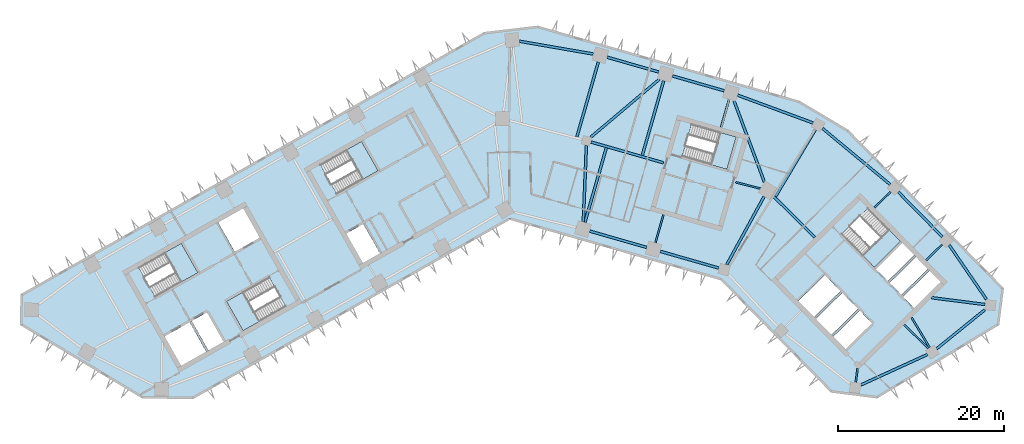
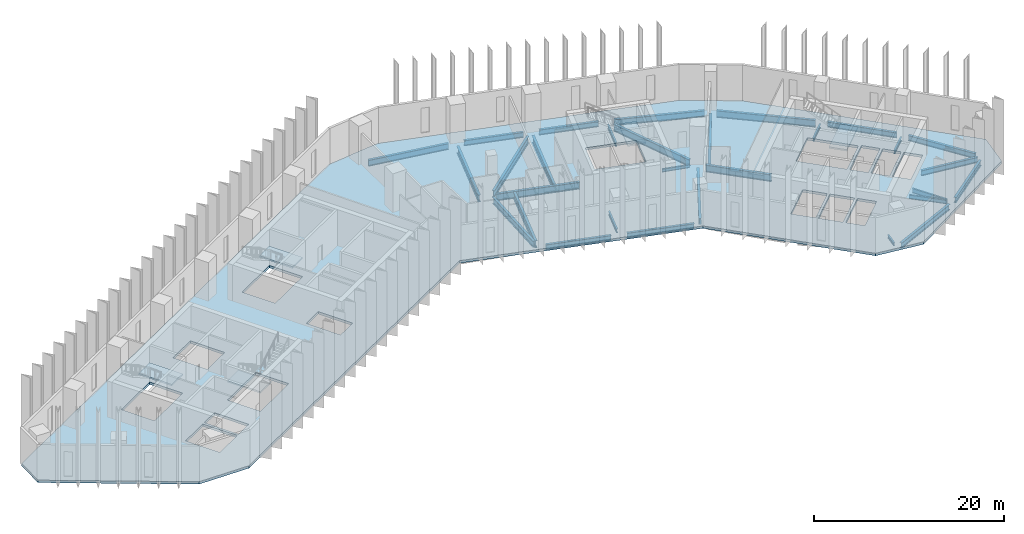
# One storey, part 2 of 11: 30 beams, 6 slabs, 5 elements without a shape of their own.
"""IFC4 building model written with IfcOpenShell, lengths in metres."""

from ifc_helpers import new_model, si_unit, direction, frame, origin, origin_2d, place, context, subcontext, project, spatial, polyline, i_section, outline, extrude, material, layer, layer_set, material_profile, profile_set, type_object, element, aggregate, save


model = new_model("IFC4")

# Units and contexts
model_context = context("Model", 3, precision=1e-05, world=origin(), true_north=direction((0.0, 1.0)))
body_context = subcontext(model_context, "Body", "Model", "MODEL_VIEW")
ifc_project = project(units=[si_unit("LENGTHUNIT", "METRE"), si_unit("AREAUNIT", "SQUARE_METRE"), si_unit("VOLUMEUNIT", "CUBIC_METRE"), si_unit("PLANEANGLEUNIT", "RADIAN"), si_unit("MASSUNIT", "GRAM", prefix="KILO")], contexts=[model_context])

# Site, building, storey
site_placement = place(None, origin())
site = spatial("IfcSite", under=ifc_project, at=site_placement, CompositionType="ELEMENT")
building_placement = place(site_placement, origin())
building = spatial("IfcBuilding", under=site, at=building_placement, Name="Binnacle Exchange Tower", CompositionType="ELEMENT")
storey_placement = place(building_placement, frame((0.0, 0.0, 66.5)))
storey = spatial("IfcBuildingStorey", under=building, at=storey_placement, Name="L13", CompositionType="ELEMENT", Elevation=66.5)

# Beams
ifc_material_1 = material(Name="Steel S355 (SHN355)", Category="steel")
ifc_material_profile_1 = material_profile(ifc_material_1, i_section(OverallWidth=0.300048828125, OverallDepth=0.699951171875, WebThickness=0.012939453125, FlangeThickness=0.02392578125, FilletRadius=0.028076171875, at=origin_2d()), Name="H 700x300x13x24")
ifc_profile_set_1 = profile_set([ifc_material_profile_1], Name="Steel S355 (SHN355)")
beam_type_1 = type_object("IfcBeamType", Name="Edge girder H 700x300x13x24 Steel S355 (SHN355)", PredefinedType="SPANDREL", material=ifc_profile_set_1)
beam_1_placement = place(storey_placement, frame((9.626708984375, 46.488037109375, -0.669921875), z_axis=(0.961260850036, -0.275640305812, 0.0), x_axis=(0.275640305812, 0.961260850036, 0.0)))
element("IfcBeam", 1, at=beam_1_placement, inside=storey, type_object=beam_type_1, Name="S:BM:edge:L13:030", PredefinedType="SPANDREL", context=body_context, shape_type="SweptSolid", body=[
    extrude(i_section(OverallWidth=0.300048828125, OverallDepth=0.699951171875, WebThickness=0.012939453125, FlangeThickness=0.02392578125, FilletRadius=0.028076171875, at=origin_2d()), origin(), (0.0, 0.0, 1.0), 7.120361328125),
])
beam_2_placement = place(storey_placement, frame((17.92919921875, 65.610595703125, -0.669921875), z_axis=(-0.961261624999, 0.275637603213, 0.0), x_axis=(-0.275637603213, -0.961261624999, 0.0)))
element("IfcBeam", 2, at=beam_2_placement, inside=storey, type_object=beam_type_1, Name="S:BM:edge:L13:032", PredefinedType="SPANDREL", context=body_context, shape_type="SweptSolid", body=[
    extrude(i_section(OverallWidth=0.300048828125, OverallDepth=0.699951171875, WebThickness=0.012939453125, FlangeThickness=0.02392578125, FilletRadius=0.028076171875, at=origin_2d()), origin(), (0.0, 0.0, 1.0), 6.472900390625),
])
beam_3_placement = place(storey_placement, frame((18.105224609375, 44.056884765625, -0.669921875), z_axis=(0.96126047873, -0.275641600691, 0.0), x_axis=(0.275641600691, 0.96126047873, 0.0)))
element("IfcBeam", 3, at=beam_3_placement, inside=storey, type_object=beam_type_1, Name="S:BM:edge:L13:033", PredefinedType="SPANDREL", context=body_context, shape_type="SweptSolid", body=[
    extrude(i_section(OverallWidth=0.300048828125, OverallDepth=0.699951171875, WebThickness=0.012939453125, FlangeThickness=0.02392578125, FilletRadius=0.028076171875, at=origin_2d()), origin(), (0.0, 0.0, 1.0), 7.320556640625),
])
beam_4_placement = place(storey_placement, frame((25.78564453125, 63.35791015625, -0.669921875), z_axis=(-0.961271618025, 0.275602751036, 0.0), x_axis=(-0.275602751036, -0.961271618025, 0.0)))
element("IfcBeam", 4, at=beam_4_placement, inside=storey, type_object=beam_type_1, Name="S:BM:edge:L13:034", PredefinedType="SPANDREL", context=body_context, shape_type="SweptSolid", body=[
    extrude(i_section(OverallWidth=0.300048828125, OverallDepth=0.699951171875, WebThickness=0.012939453125, FlangeThickness=0.02392578125, FilletRadius=0.028076171875, at=origin_2d()), origin(), (0.0, 0.0, 1.0), 6.472900390625),
])
beam_5_placement = place(storey_placement, frame((51.322265625, 32.343505859375, -0.669921875), z_axis=(0.777568489665, 0.628798253719, 0.0), x_axis=(-0.628798253719, 0.777568489665, 0.0)))
element("IfcBeam", 5, at=beam_5_placement, inside=storey, type_object=beam_type_1, Name="S:BM:edge:L13:040", PredefinedType="SPANDREL", context=body_context, shape_type="SweptSolid", body=[
    extrude(i_section(OverallWidth=0.300048828125, OverallDepth=0.699951171875, WebThickness=0.012939453125, FlangeThickness=0.02392578125, FilletRadius=0.028076171875, at=origin_2d()), origin(), (0.0, 0.0, 1.0), 7.428955078125),
])
beam_6_placement = place(storey_placement, frame((52.010986328125, 45.802978515625, -0.669921875), z_axis=(-0.700905226564, 0.713254417004, 0.0), x_axis=(-0.713254417004, -0.700905226564, 0.0)))
element("IfcBeam", 6, at=beam_6_placement, inside=storey, type_object=beam_type_1, Name="S:BM:edge:L13:041", PredefinedType="SPANDREL", context=body_context, shape_type="SweptSolid", body=[
    extrude(i_section(OverallWidth=0.300048828125, OverallDepth=0.699951171875, WebThickness=0.012939453125, FlangeThickness=0.02392578125, FilletRadius=0.028076171875, at=origin_2d()), origin(), (0.0, 0.0, 1.0), 7.57177734375),
])
beam_7_placement = place(storey_placement, frame((57.305419921875, 38.299072265625, -0.669921875), z_axis=(-0.566409202341, 0.82412415054, 0.0), x_axis=(-0.82412415054, -0.566409202341, 0.0)))
element("IfcBeam", 7, at=beam_7_placement, inside=storey, type_object=beam_type_1, Name="S:BM:edge:L13:042", PredefinedType="SPANDREL", context=body_context, shape_type="SweptSolid", body=[
    extrude(i_section(OverallWidth=0.300048828125, OverallDepth=0.699951171875, WebThickness=0.012939453125, FlangeThickness=0.02392578125, FilletRadius=0.028076171875, at=origin_2d()), origin(), (0.0, 0.0, 1.0), 7.8828125),
])
ifc_material_profile_2 = material_profile(ifc_material_1, i_section(OverallWidth=0.302001953125, OverallDepth=0.7080078125, WebThickness=0.014892578125, FlangeThickness=0.028076171875, FilletRadius=0.028076171875, at=origin_2d()), Name="H 708x302x15x28")
ifc_profile_set_2 = profile_set([ifc_material_profile_2], Name="Steel S355 (SHN355)")
beam_type_2 = type_object("IfcBeamType", Name="Edge girder H 708x302x15x28 Steel S355 (SHN355)", PredefinedType="SPANDREL", material=ifc_profile_set_2)
beam_8_placement = place(storey_placement, frame((42.215576171875, 27.99365234375, -0.674072265625), z_axis=(0.909179052108, 0.416405392866, 0.0), x_axis=(-0.416405392866, 0.909179052108, 0.0)))
element("IfcBeam", 8, at=beam_8_placement, inside=storey, type_object=beam_type_2, Name="S:BM:edge:L13:038", PredefinedType="SPANDREL", context=body_context, shape_type="SweptSolid", body=[
    extrude(i_section(OverallWidth=0.302001953125, OverallDepth=0.7080078125, WebThickness=0.014892578125, FlangeThickness=0.028076171875, FilletRadius=0.028076171875, at=origin_2d()), origin(), (0.0, 0.0, 1.0), 8.801025390625),
])
ifc_material_profile_3 = material_profile(ifc_material_1, i_section(OverallWidth=0.300048828125, OverallDepth=0.800048828125, WebThickness=0.013916015625, FlangeThickness=0.02587890625, FilletRadius=0.028076171875, at=origin_2d()), Name="H 800x300x14x26")
ifc_profile_set_3 = profile_set([ifc_material_profile_3], Name="Steel S355 (SHN355)")
beam_type_3 = type_object("IfcBeamType", Name="Edge girder H 800x300x14x26 Steel S355 (SHN355)", PredefinedType="SPANDREL", material=ifc_profile_set_3)
beam_9_placement = place(storey_placement, frame((10.047607421875, 67.77490234375, -0.719970703125), z_axis=(-0.985312460293, 0.17076110679, 0.0), x_axis=(-0.17076110679, -0.985312460293, 0.0)))
element("IfcBeam", 9, at=beam_9_placement, inside=storey, type_object=beam_type_3, Name="S:BM:edge:L13:031", PredefinedType="SPANDREL", context=body_context, shape_type="SweptSolid", body=[
    extrude(i_section(OverallWidth=0.300048828125, OverallDepth=0.800048828125, WebThickness=0.013916015625, FlangeThickness=0.02587890625, FilletRadius=0.028076171875, at=origin_2d()), origin(), (0.0, 0.0, 1.0), 9.005859375),
])
ifc_material_profile_4 = material_profile(ifc_material_1, i_section(OverallWidth=0.302001953125, OverallDepth=0.80810546875, WebThickness=0.01611328125, FlangeThickness=0.030029296875, FilletRadius=0.028076171875, at=origin_2d()), Name="H 808x302x16x30")
ifc_profile_set_4 = profile_set([ifc_material_profile_4], Name="Steel S355 (SHN355)")
beam_type_4 = type_object("IfcBeamType", Name="Edge girder H 808x302x16x30 Steel S355 (SHN355)", PredefinedType="SPANDREL", material=ifc_profile_set_4)
beam_10_placement = place(storey_placement, frame((36.464599609375, 59.490966796875, -0.72412109375), z_axis=(-0.938368148393, 0.345637408395, 0.0), x_axis=(-0.345637408395, -0.938368148393, 0.0)))
element("IfcBeam", 10, at=beam_10_placement, inside=storey, type_object=beam_type_4, Name="S:BM:edge:L13:037", PredefinedType="SPANDREL", context=body_context, shape_type="SweptSolid", body=[
    extrude(i_section(OverallWidth=0.302001953125, OverallDepth=0.80810546875, WebThickness=0.01611328125, FlangeThickness=0.030029296875, FilletRadius=0.028076171875, at=origin_2d()), origin(), (0.0, 0.0, 1.0), 9.6572265625),
])
ifc_material_profile_5 = material_profile(ifc_material_1, i_section(OverallWidth=0.300048828125, OverallDepth=0.89990234375, WebThickness=0.01611328125, FlangeThickness=0.028076171875, FilletRadius=0.028076171875, at=origin_2d()), Name="H 900x300x16x28")
ifc_profile_set_5 = profile_set([ifc_material_profile_5], Name="Steel S355 (SHN355)")
beam_type_5 = type_object("IfcBeamType", Name="Edge girder H 900x300x16x28 Steel S355 (SHN355)", PredefinedType="SPANDREL", material=ifc_profile_set_5)
beam_11_placement = place(storey_placement, frame((45.7451171875, 52.084228515625, -0.77001953125), z_axis=(-0.769906025895, 0.638157277864, 0.0), x_axis=(-0.638157277864, -0.769906025895, 0.0)))
element("IfcBeam", 11, at=beam_11_placement, inside=storey, type_object=beam_type_5, Name="S:BM:edge:L13:039", PredefinedType="SPANDREL", context=body_context, shape_type="SweptSolid", body=[
    extrude(i_section(OverallWidth=0.300048828125, OverallDepth=0.89990234375, WebThickness=0.01611328125, FlangeThickness=0.028076171875, FilletRadius=0.028076171875, at=origin_2d()), origin(), (0.0, 0.0, 1.0), 10.59033203125),
])
ifc_material_profile_6 = material_profile(ifc_material_1, i_section(OverallWidth=0.199951171875, OverallDepth=0.39990234375, WebThickness=0.008056640625, FlangeThickness=0.012939453125, FilletRadius=0.01611328125, at=origin_2d()), Name="H 400x200x8x13")
ifc_profile_set_6 = profile_set([ifc_material_profile_6], Name="Steel S355 (SHN355)")
beam_type_6 = type_object("IfcBeamType", Name="Floor beam H 400x200x8x13 Steel S355 (SHN355)", PredefinedType="BEAM", material=ifc_profile_set_6)
beam_12_placement = place(storey_placement, frame((41.601806640625, 28.319580078125, -0.52001953125), z_axis=(0.126197116971, 0.992005185303, 0.0), x_axis=(-0.992005185303, 0.126197116971, 0.0)))
element("IfcBeam", 12, at=beam_12_placement, inside=storey, type_object=beam_type_6, Name="S:BM:cross:L13:063", PredefinedType="BEAM", context=body_context, shape_type="SweptSolid", body=[
    extrude(i_section(OverallWidth=0.199951171875, OverallDepth=0.39990234375, WebThickness=0.008056640625, FlangeThickness=0.012939453125, FilletRadius=0.01611328125, at=origin_2d()), origin(), (0.0, 0.0, 1.0), 1.68115234375),
])
ifc_material_profile_7 = material_profile(ifc_material_1, i_section(OverallWidth=0.199951171875, OverallDepth=0.449951171875, WebThickness=0.009033203125, FlangeThickness=0.013916015625, FilletRadius=0.01806640625, at=origin_2d()), Name="H 450x200x9x14")
ifc_profile_set_7 = profile_set([ifc_material_profile_7], Name="Steel S355 (SHN355)")
beam_type_7 = type_object("IfcBeamType", Name="Floor beam H 450x200x9x14 Steel S355 (SHN355)", PredefinedType="BEAM", material=ifc_profile_set_7)
for number, where, z_axis, x_axis, name in (
    (13, (45.78466796875, 51.211669921875, -0.544921875), (-0.713299272232, -0.700859578113, 0.0), (0.700859578113, -0.713299272232, 0.0), "S:BM:cross:L13:064"),
    (14, (52.003173828125, 44.8837890625, -0.544921875), (-0.713254209224, -0.700905438004, 0.0), (0.700905438004, -0.713254209224, 0.0), "S:BM:cross:L13:066"),
):
    element("IfcBeam", number, at=place(storey_placement, frame(where, z_axis=z_axis, x_axis=x_axis)), inside=storey, type_object=beam_type_7, Name=name, PredefinedType="BEAM", context=body_context, shape_type="SweptSolid", body=[
        extrude(i_section(OverallWidth=0.199951171875, OverallDepth=0.449951171875, WebThickness=0.009033203125, FlangeThickness=0.013916015625, FilletRadius=0.01806640625, at=origin_2d()), origin(), (0.0, 0.0, 1.0), 2.70849609375),
    ])
ifc_material_profile_8 = material_profile(ifc_material_1, i_section(OverallWidth=0.200927734375, OverallDepth=0.506103515625, WebThickness=0.010986328125, FlangeThickness=0.01904296875, FilletRadius=0.02001953125, at=origin_2d()), Name="H 506x201x11x19")
ifc_profile_set_8 = profile_set([ifc_material_profile_8], Name="Steel S355 (SHN355)")
beam_type_8 = type_object("IfcBeamType", Name="Floor beam H 506x201x11x19 Steel S355 (SHN355)", PredefinedType="BEAM", material=ifc_profile_set_8)
for number, where, z_axis, x_axis, name in (
    (15, (17.5224609375, 45.108154296875, -0.572998046875), (0.275655468279, 0.961256502089, 0.0), (-0.961256502089, 0.275655468279, 0.0), "S:BM:cross:L13:058"),
    (16, (26.368408203125, 62.306396484375, -0.572998046875), (-0.275655468279, -0.961256502089, 0.0), (0.961256502089, -0.275655468279, 0.0), "S:BM:cross:L13:060"),
):
    element("IfcBeam", number, at=place(storey_placement, frame(where, z_axis=z_axis, x_axis=x_axis)), inside=storey, type_object=beam_type_8, Name=name, PredefinedType="BEAM", context=body_context, shape_type="SweptSolid", body=[
        extrude(i_section(OverallWidth=0.200927734375, OverallDepth=0.506103515625, WebThickness=0.010986328125, FlangeThickness=0.01904296875, FilletRadius=0.02001953125, at=origin_2d()), origin(), (0.0, 0.0, 1.0), 3.485107421875),
    ])
ifc_material_profile_9 = material_profile(ifc_material_1, i_section(OverallWidth=0.199951171875, OverallDepth=0.60009765625, WebThickness=0.010986328125, FlangeThickness=0.01708984375, FilletRadius=0.02197265625, at=origin_2d()), Name="H 600x200x11x17")
ifc_profile_set_9 = profile_set([ifc_material_profile_9], Name="Steel S355 (SHN355)")
beam_type_9 = type_object("IfcBeamType", Name="Floor beam H 600x200x11x17 Steel S355 (SHN355)", PredefinedType="BEAM", material=ifc_profile_set_9)
beam_13_placement = place(storey_placement, frame((50.477294921875, 32.488037109375, -0.6201171875), z_axis=(-0.515057466438, 0.857155648798, 0.0), x_axis=(-0.857155648798, -0.515057466438, 0.0)))
element("IfcBeam", 17, at=beam_13_placement, inside=storey, type_object=beam_type_9, Name="S:BM:cross:L13:065", PredefinedType="BEAM", context=body_context, shape_type="SweptSolid", body=[
    extrude(i_section(OverallWidth=0.199951171875, OverallDepth=0.60009765625, WebThickness=0.010986328125, FlangeThickness=0.01708984375, FilletRadius=0.02197265625, at=origin_2d()), origin(), (0.0, 0.0, 1.0), 4.2177734375),
])
ifc_material_profile_10 = material_profile(ifc_material_1, i_section(OverallWidth=0.300048828125, OverallDepth=0.699951171875, WebThickness=0.012939453125, FlangeThickness=0.02392578125, FilletRadius=0.028076171875, at=origin_2d()), Name="H 700x300x13x24")
ifc_profile_set_10 = profile_set([ifc_material_profile_10], Name="Steel S355 (SHN355)")
beam_type_10 = type_object("IfcBeamType", Name="Floor beam H 700x300x13x24 Steel S355 (SHN355)", PredefinedType="BEAM", material=ifc_profile_set_10)
beam_14_placement = place(storey_placement, frame((57.154296875, 37.6630859375, -0.669921875), z_axis=(-0.992006658356, 0.126185537116, 0.0), x_axis=(-0.126185537116, -0.992006658356, 0.0)))
element("IfcBeam", 18, at=beam_14_placement, inside=storey, type_object=beam_type_10, Name="S:BM:cross:L13:067", PredefinedType="BEAM", context=body_context, shape_type="SweptSolid", body=[
    extrude(i_section(OverallWidth=0.300048828125, OverallDepth=0.699951171875, WebThickness=0.012939453125, FlangeThickness=0.02392578125, FilletRadius=0.028076171875, at=origin_2d()), origin(), (0.0, 0.0, 1.0), 6.4814453125),
])
ifc_material_profile_11 = material_profile(ifc_material_1, i_section(OverallWidth=0.302978515625, OverallDepth=0.91796875, WebThickness=0.01904296875, FlangeThickness=0.037109375, FilletRadius=0.028076171875, at=origin_2d()), Name="H 918x303x19x37")
ifc_profile_set_11 = profile_set([ifc_material_profile_11], Name="Steel S355 (SHN355)")
beam_type_11 = type_object("IfcBeamType", Name="Floor beam H 918x303x19x37 Steel S355 (SHN355)", PredefinedType="BEAM", material=ifc_profile_set_11)
beam_15_placement = place(storey_placement, frame((9.043701171875, 47.539306640625, -0.779052734375), z_axis=(0.275646698205, 0.961259017003, 0.0), x_axis=(-0.961259017003, 0.275646698205, 0.0)))
element("IfcBeam", 19, at=beam_15_placement, inside=storey, type_object=beam_type_11, Name="S:BM:cross:L13:056", PredefinedType="BEAM", context=body_context, shape_type="SweptSolid", body=[
    extrude(i_section(OverallWidth=0.302978515625, OverallDepth=0.91796875, WebThickness=0.01904296875, FlangeThickness=0.037109375, FilletRadius=0.028076171875, at=origin_2d()), origin(), (0.0, 0.0, 1.0), 9.335205078125),
])
beam_16_placement = place(storey_placement, frame((10.65576171875, 66.81201171875, -0.779052734375), z_axis=(-0.275626703457, -0.961264750389, 0.0), x_axis=(0.961264750389, -0.275626703457, 0.0)))
element("IfcBeam", 20, at=beam_16_placement, inside=storey, type_object=beam_type_11, Name="S:BM:cross:L13:057", PredefinedType="BEAM", context=body_context, shape_type="SweptSolid", body=[
    extrude(i_section(OverallWidth=0.302978515625, OverallDepth=0.91796875, WebThickness=0.01904296875, FlangeThickness=0.037109375, FilletRadius=0.028076171875, at=origin_2d()), origin(), (0.0, 0.0, 1.0), 9.363525390625),
])
beam_17_placement = place(storey_placement, frame((18.511962890625, 64.55908203125, -0.779052734375), z_axis=(-0.275629461812, -0.961263959473, 0.0), x_axis=(0.961263959473, -0.275629461812, 0.0)))
element("IfcBeam", 21, at=beam_17_placement, inside=storey, type_object=beam_type_11, Name="S:BM:cross:L13:059", PredefinedType="BEAM", context=body_context, shape_type="SweptSolid", body=[
    extrude(i_section(OverallWidth=0.302978515625, OverallDepth=0.91796875, WebThickness=0.01904296875, FlangeThickness=0.037109375, FilletRadius=0.028076171875, at=origin_2d()), origin(), (0.0, 0.0, 1.0), 9.3349609375),
])
beam_18_placement = place(storey_placement, frame((36.752685546875, 58.703857421875, -0.779052734375), z_axis=(-0.511298188751, -0.859403375709, 0.0), x_axis=(0.859403375709, -0.511298188751, 0.0)))
element("IfcBeam", 22, at=beam_18_placement, inside=storey, type_object=beam_type_11, Name="S:BM:cross:L13:062", PredefinedType="BEAM", context=body_context, shape_type="SweptSolid", body=[
    extrude(i_section(OverallWidth=0.302978515625, OverallDepth=0.91796875, WebThickness=0.01904296875, FlangeThickness=0.037109375, FilletRadius=0.028076171875, at=origin_2d()), origin(), (0.0, 0.0, 1.0), 9.385986328125),
])
ifc_material_profile_12 = material_profile(ifc_material_1, i_section(OverallWidth=0.199951171875, OverallDepth=0.39990234375, WebThickness=0.008056640625, FlangeThickness=0.012939453125, FilletRadius=0.01611328125, at=origin_2d()), Name="H 400x200x8x13")
ifc_profile_set_12 = profile_set([ifc_material_profile_12], Name="Steel S355 (SHN355)")
beam_type_12 = type_object("IfcBeamType", Name="Spine girder H 400x200x8x13 Steel S355 (SHN355)", PredefinedType="BEAM", material=ifc_profile_set_12)
beam_19_placement = place(storey_placement, frame((27.17138671875, 52.35400390625, -0.52001953125), z_axis=(0.969359627701, -0.245645908136, 0.0), x_axis=(0.245645908136, 0.969359627701, 0.0)))
element("IfcBeam", 23, at=beam_19_placement, inside=storey, type_object=beam_type_12, Name="S:BM:spine:L13:010", PredefinedType="BEAM", context=body_context, shape_type="SweptSolid", body=[
    extrude(i_section(OverallWidth=0.199951171875, OverallDepth=0.39990234375, WebThickness=0.008056640625, FlangeThickness=0.012939453125, FilletRadius=0.01611328125, at=origin_2d()), origin(), (0.0, 0.0, 1.0), 3.046142578125),
])
ifc_material_profile_13 = material_profile(ifc_material_1, i_section(OverallWidth=0.200927734375, OverallDepth=0.506103515625, WebThickness=0.010986328125, FlangeThickness=0.01904296875, FilletRadius=0.02001953125, at=origin_2d()), Name="H 506x201x11x19")
ifc_profile_set_13 = profile_set([ifc_material_profile_13], Name="Steel S355 (SHN355)")
beam_type_13 = type_object("IfcBeamType", Name="Spine girder H 506x201x11x19 Steel S355 (SHN355)", PredefinedType="BEAM", material=ifc_profile_set_13)
beam_20_placement = place(storey_placement, frame((47.417236328125, 35.23095703125, -0.572998046875), z_axis=(0.717013275689, -0.697059511437, 0.0), x_axis=(0.697059511437, 0.717013275689, 0.0)))
element("IfcBeam", 24, at=beam_20_placement, inside=storey, type_object=beam_type_13, Name="S:BM:spine:L13:014", PredefinedType="BEAM", context=body_context, shape_type="SweptSolid", body=[
    extrude(i_section(OverallWidth=0.200927734375, OverallDepth=0.506103515625, WebThickness=0.010986328125, FlangeThickness=0.01904296875, FilletRadius=0.02001953125, at=origin_2d()), origin(), (0.0, 0.0, 1.0), 4.06201171875),
])
ifc_material_profile_14 = material_profile(ifc_material_1, i_section(OverallWidth=0.302001953125, OverallDepth=0.80810546875, WebThickness=0.01611328125, FlangeThickness=0.030029296875, FilletRadius=0.028076171875, at=origin_2d()), Name="H 808x302x16x30")
ifc_profile_set_14 = profile_set([ifc_material_profile_14], Name="Steel S355 (SHN355)")
beam_type_14 = type_object("IfcBeamType", Name="Spine girder H 808x302x16x30 Steel S355 (SHN355)", PredefinedType="BEAM", material=ifc_profile_set_14)
beam_21_placement = place(storey_placement, frame((9.218017578125, 56.78466796875, -0.72412109375), z_axis=(-0.040567083206, -0.999176817065, 0.0), x_axis=(0.999176817065, -0.040567083206, 0.0)))
element("IfcBeam", 25, at=beam_21_placement, inside=storey, type_object=beam_type_14, Name="S:BM:spine:L13:007", PredefinedType="BEAM", context=body_context, shape_type="SweptSolid", body=[
    extrude(i_section(OverallWidth=0.302001953125, OverallDepth=0.80810546875, WebThickness=0.01611328125, FlangeThickness=0.030029296875, FilletRadius=0.028076171875, at=origin_2d()), origin(), (0.0, 0.0, 1.0), 9.19580078125),
])
beam_22_placement = place(storey_placement, frame((30.580078125, 50.6396484375, -0.72412109375), z_axis=(-0.480716000085, -0.87687634662, 0.0), x_axis=(0.87687634662, -0.480716000085, 0.0)))
element("IfcBeam", 26, at=beam_22_placement, inside=storey, type_object=beam_type_14, Name="S:BM:spine:L13:011", PredefinedType="BEAM", context=body_context, shape_type="SweptSolid", body=[
    extrude(i_section(OverallWidth=0.302001953125, OverallDepth=0.80810546875, WebThickness=0.01611328125, FlangeThickness=0.030029296875, FilletRadius=0.028076171875, at=origin_2d()), origin(), (0.0, 0.0, 1.0), 9.34619140625),
])
ifc_material_profile_15 = material_profile(ifc_material_1, i_section(OverallWidth=0.302001953125, OverallDepth=0.912109375, WebThickness=0.01806640625, FlangeThickness=0.033935546875, FilletRadius=0.028076171875, at=origin_2d()), Name="H 912x302x18x34")
ifc_profile_set_15 = profile_set([ifc_material_profile_15], Name="Steel S355 (SHN355)")
beam_type_15 = type_object("IfcBeamType", Name="Spine girder H 912x302x18x34 Steel S355 (SHN355)", PredefinedType="BEAM", material=ifc_profile_set_15)
beam_23_placement = place(storey_placement, frame((9.74658203125, 57.77734375, -0.77587890625), z_axis=(0.764072930463, 0.64512987602, 0.0), x_axis=(-0.64512987602, 0.764072930463, 0.0)))
element("IfcBeam", 27, at=beam_23_placement, inside=storey, type_object=beam_type_15, Name="S:BM:spine:L13:008", PredefinedType="BEAM", context=body_context, shape_type="SweptSolid", body=[
    extrude(i_section(OverallWidth=0.302001953125, OverallDepth=0.912109375, WebThickness=0.01806640625, FlangeThickness=0.033935546875, FilletRadius=0.028076171875, at=origin_2d()), origin(), (0.0, 0.0, 1.0), 10.755615234375),
])
beam_24_placement = place(storey_placement, frame((30.614501953125, 52.389892578125, -0.77587890625), z_axis=(-0.350104624168, 0.936710602126, 0.0), x_axis=(-0.936710602126, -0.350104624168, 0.0)))
element("IfcBeam", 28, at=beam_24_placement, inside=storey, type_object=beam_type_15, Name="S:BM:spine:L13:012", PredefinedType="BEAM", context=body_context, shape_type="SweptSolid", body=[
    extrude(i_section(OverallWidth=0.302001953125, OverallDepth=0.912109375, WebThickness=0.01806640625, FlangeThickness=0.033935546875, FilletRadius=0.028076171875, at=origin_2d()), origin(), (0.0, 0.0, 1.0), 10.4013671875),
])
ifc_material_profile_16 = material_profile(ifc_material_1, i_section(OverallWidth=0.302978515625, OverallDepth=0.91796875, WebThickness=0.01904296875, FlangeThickness=0.037109375, FilletRadius=0.028076171875, at=origin_2d()), Name="H 918x303x19x37")
ifc_profile_set_16 = profile_set([ifc_material_profile_16], Name="Steel S355 (SHN355)")
beam_type_16 = type_object("IfcBeamType", Name="Spine girder H 918x303x19x37 Steel S355 (SHN355)", PredefinedType="BEAM", material=ifc_profile_set_16)
beam_25_placement = place(storey_placement, frame((9.76953125, 57.198486328125, -0.779052734375), z_axis=(0.961265329417, -0.275624684057, 0.0), x_axis=(0.275624684057, 0.961265329417, 0.0)))
element("IfcBeam", 29, at=beam_25_placement, inside=storey, type_object=beam_type_16, Name="S:BM:spine:L13:009", PredefinedType="BEAM", context=body_context, shape_type="SweptSolid", body=[
    extrude(i_section(OverallWidth=0.302978515625, OverallDepth=0.91796875, WebThickness=0.01904296875, FlangeThickness=0.037109375, FilletRadius=0.028076171875, at=origin_2d()), origin(), (0.0, 0.0, 1.0), 9.063232421875),
])
beam_26_placement = place(storey_placement, frame((31.60888671875, 50.773681640625, -0.779052734375), z_axis=(0.711013452478, -0.703178405809, 0.0), x_axis=(0.703178405809, 0.711013452478, 0.0)))
element("IfcBeam", 30, at=beam_26_placement, inside=storey, type_object=beam_type_16, Name="S:BM:spine:L13:013", PredefinedType="BEAM", context=body_context, shape_type="SweptSolid", body=[
    extrude(i_section(OverallWidth=0.302978515625, OverallDepth=0.91796875, WebThickness=0.01904296875, FlangeThickness=0.037109375, FilletRadius=0.028076171875, at=origin_2d()), origin(), (0.0, 0.0, 1.0), 7.166748046875),
])

# Slab
ifc_material_2 = material(Name="Concrete C35/45", Category="concrete")
ifc_layer_1 = layer(ifc_material_2, 0.320068359375)
ifc_layer_set_1 = layer_set([ifc_layer_1], Name="Floor slab 320 Concrete C35/45")
slab_type_1 = type_object("IfcSlabType", Name="Floor slab 320 Concrete C35/45", PredefinedType="FLOOR", material=ifc_layer_set_1)
slab_1_placement = place(storey_placement, frame((0.0, 0.0, -0.320068359375)))
element("IfcSlab", 31, at=slab_1_placement, inside=storey, type_object=slab_type_1, Name="S:SL:L13:01", PredefinedType="FLOOR", context=body_context, shape_type="SweptSolid", body=[
    extrude(outline(polyline([(59.262939453125, 39.5791015625), (58.716064453125, 35.280029296875), (44.14404296875, 26.5244140625), (38.69091796875, 27.21826171875), (25.43603515625, 40.706298828125), (0.0, 48.0), (-38.097900390625, 26.4453125), (-44.14404296875, 26.5244140625), (-58.716064453125, 35.280029296875), (-58.669921875, 38.80615234375), (-3.046142578125, 70.276611328125), (3.364501953125, 71.035400390625), (34.789794921875, 62.024169921875), (40.607421875, 58.56298828125), (59.262939453125, 39.5791015625)]), holes=[polyline([(-38.4794921875, 35.529296875), (-41.61279296875, 33.756591796875), (-39.544677734375, 30.10107421875), (-36.411376953125, 31.873779296875), (-38.4794921875, 35.529296875)]), polyline([(-34.322509765625, 33.0556640625), (-36.390625, 36.711181640625), (-38.21826171875, 35.677001953125), (-36.150146484375, 32.021484375), (-34.322509765625, 33.0556640625)]), polyline([(-34.040771484375, 38.04052734375), (-32.04638671875, 34.515625), (-26.9287109375, 37.4111328125), (-28.923095703125, 40.93603515625), (-34.040771484375, 38.04052734375)]), polyline([(-37.486572265625, 41.4912109375), (-39.480712890625, 45.01611328125), (-44.598388671875, 42.12060546875), (-42.604248046875, 38.595703125), (-37.486572265625, 41.4912109375)]), polyline([(-15.53076171875, 43.6875), (-17.598876953125, 47.343017578125), (-19.77490234375, 46.11181640625), (-17.70654296875, 42.456298828125), (-15.53076171875, 43.6875)]), polyline([(-29.914306640625, 45.775390625), (-31.982666015625, 49.430908203125), (-35.115966796875, 47.657958984375), (-33.047607421875, 44.00244140625), (-29.914306640625, 45.775390625)]), polyline([(-15.822509765625, 53.748046875), (-17.81689453125, 57.27294921875), (-22.760498046875, 54.47607421875), (-20.76611328125, 50.950927734375), (-15.822509765625, 53.748046875)]), polyline([(26.111328125, 53.9169921875), (27.227783203125, 57.810302734375), (21.864013671875, 59.348388671875), (20.74755859375, 55.455078125), (26.111328125, 53.9169921875)]), polyline([(40.268798828125, 32.201904296875), (43.549560546875, 35.426025390625), (42.07763671875, 36.923828125), (38.796875, 33.69970703125), (40.268798828125, 32.201904296875)]), polyline([(38.58642578125, 33.913818359375), (41.867431640625, 37.137939453125), (39.97509765625, 39.063720703125), (36.694091796875, 35.83935546875), (38.58642578125, 33.913818359375)]), polyline([(36.48388671875, 36.053466796875), (39.7646484375, 39.277587890625), (37.872314453125, 41.203369140625), (34.59130859375, 37.979248046875), (36.48388671875, 36.053466796875)]), polyline([(48.726806640625, 37.148681640625), (52.0078125, 40.372802734375), (50.577880859375, 41.827880859375), (47.296875, 38.603759765625), (48.726806640625, 37.148681640625)]), polyline([(47.086669921875, 38.817626953125), (50.36767578125, 42.0419921875), (48.944580078125, 43.48974609375), (45.663818359375, 40.265625), (47.086669921875, 38.817626953125)]), polyline([(45.45361328125, 40.4794921875), (48.734375, 43.703857421875), (47.3115234375, 45.151611328125), (44.030517578125, 41.927490234375), (45.45361328125, 40.4794921875)]), polyline([(43.8203125, 42.141357421875), (46.994384765625, 45.260498046875), (43.083251953125, 49.240478515625), (39.9091796875, 46.121337890625), (43.8203125, 42.141357421875)])]), origin(), (0.0, 0.0, 1.0), 0.320068359375),
])

# Stair, slab
stair_type = type_object("IfcStairType", Name="STAIR 28 RISERS 179", PredefinedType="HALF_TURN_STAIR", material=ifc_material_2)
stair_1_placement = place(storey_placement, origin())
stair_1 = element("IfcStair", 32, at=stair_1_placement, inside=storey, type_object=stair_type, Name="L13 Escape stair A1", PredefinedType="HALF_TURN_STAIR")
ifc_layer_2 = layer(ifc_material_2, 0.199951171875)
ifc_layer_set_2 = layer_set([ifc_layer_2], Name="STAIR LANDING 200")
slab_type_2 = type_object("IfcSlabType", Name="STAIR LANDING 200", PredefinedType="LANDING", material=ifc_layer_set_2)
slab_2_placement = place(storey_placement, frame((0.0, 0.0, 2.300048828125)))
slab_2 = element("IfcSlab", 33, at=slab_2_placement, type_object=slab_type_2, Name="STA1 landing 1", PredefinedType="LANDING", context=body_context, shape_type="SweptSolid", body=[
    extrude(outline(polyline([(-39.470947265625, 40.368408203125), (-37.486572265625, 41.4912109375), (-39.48095703125, 45.01611328125), (-41.46533203125, 43.893310546875), (-39.470947265625, 40.368408203125)])), origin(), (0.0, 0.0, 1.0), 0.199951171875),
])
aggregate(stair_1, [slab_2])

stair_2_placement = place(storey_placement, origin())
stair_2 = element("IfcStair", 34, at=stair_2_placement, inside=storey, type_object=stair_type, Name="L13 Escape stair A2", PredefinedType="HALF_TURN_STAIR")
slab_3_placement = place(storey_placement, frame((0.0, 0.0, 2.300048828125)))
slab_3 = element("IfcSlab", 35, at=slab_3_placement, type_object=slab_type_2, Name="STA2 landing 1", PredefinedType="LANDING", context=body_context, shape_type="SweptSolid", body=[
    extrude(outline(polyline([(-32.05615234375, 39.163330078125), (-34.040771484375, 38.04052734375), (-32.04638671875, 34.515625), (-30.06201171875, 35.638427734375), (-32.05615234375, 39.163330078125)])), origin(), (0.0, 0.0, 1.0), 0.199951171875),
])
aggregate(stair_2, [slab_3])

stair_3_placement = place(storey_placement, origin())
stair_3 = element("IfcStair", 36, at=stair_3_placement, inside=storey, type_object=stair_type, Name="L13 Escape stair B1", PredefinedType="HALF_TURN_STAIR")
slab_4_placement = place(storey_placement, frame((0.0, 0.0, 2.300048828125)))
slab_4 = element("IfcSlab", 37, at=slab_4_placement, type_object=slab_type_2, Name="STB1 landing 1", PredefinedType="LANDING", context=body_context, shape_type="SweptSolid", body=[
    extrude(outline(polyline([(42.4326171875, 43.5537109375), (43.8203125, 42.141357421875), (46.994384765625, 45.260498046875), (45.606689453125, 46.672607421875), (42.4326171875, 43.5537109375)])), origin(), (0.0, 0.0, 1.0), 0.199951171875),
])
aggregate(stair_3, [slab_4])

stair_4_placement = place(storey_placement, origin())
stair_4 = element("IfcStair", 38, at=stair_4_placement, inside=storey, type_object=stair_type, Name="L13 Escape stair C1", PredefinedType="HALF_TURN_STAIR")
slab_5_placement = place(storey_placement, frame((0.0, 0.0, 2.300048828125)))
slab_5 = element("IfcSlab", 39, at=slab_5_placement, type_object=slab_type_2, Name="STC1 landing 1", PredefinedType="LANDING", context=body_context, shape_type="SweptSolid", body=[
    extrude(outline(polyline([(-17.6328125, 52.7236328125), (-15.822509765625, 53.748046875), (-17.81689453125, 57.27294921875), (-19.627197265625, 56.248779296875), (-17.6328125, 52.7236328125)])), origin(), (0.0, 0.0, 1.0), 0.199951171875),
])
aggregate(stair_4, [slab_5])

stair_5_placement = place(storey_placement, origin())
stair_5 = element("IfcStair", 40, at=stair_5_placement, inside=storey, type_object=stair_type, Name="L13 Escape stair D1", PredefinedType="HALF_TURN_STAIR")
slab_6_placement = place(storey_placement, frame((0.0, 0.0, 2.300048828125)))
slab_6 = element("IfcSlab", 41, at=slab_6_placement, type_object=slab_type_2, Name="STD1 landing 1", PredefinedType="LANDING", context=body_context, shape_type="SweptSolid", body=[
    extrude(outline(polyline([(24.2080078125, 54.462890625), (26.111328125, 53.917236328125), (27.227783203125, 57.810302734375), (25.324462890625, 58.35595703125), (24.2080078125, 54.462890625)])), origin(), (0.0, 0.0, 1.0), 0.199951171875),
])
aggregate(stair_5, [slab_6])

save(model, "model.ifc")
